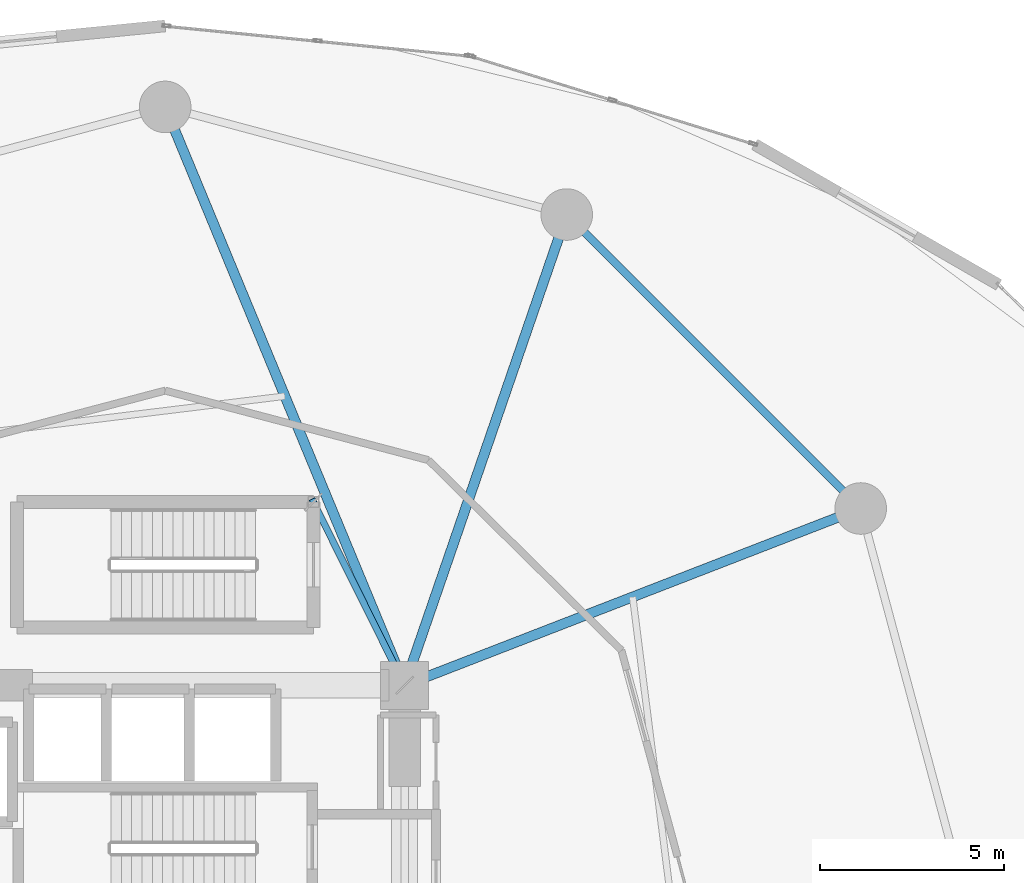
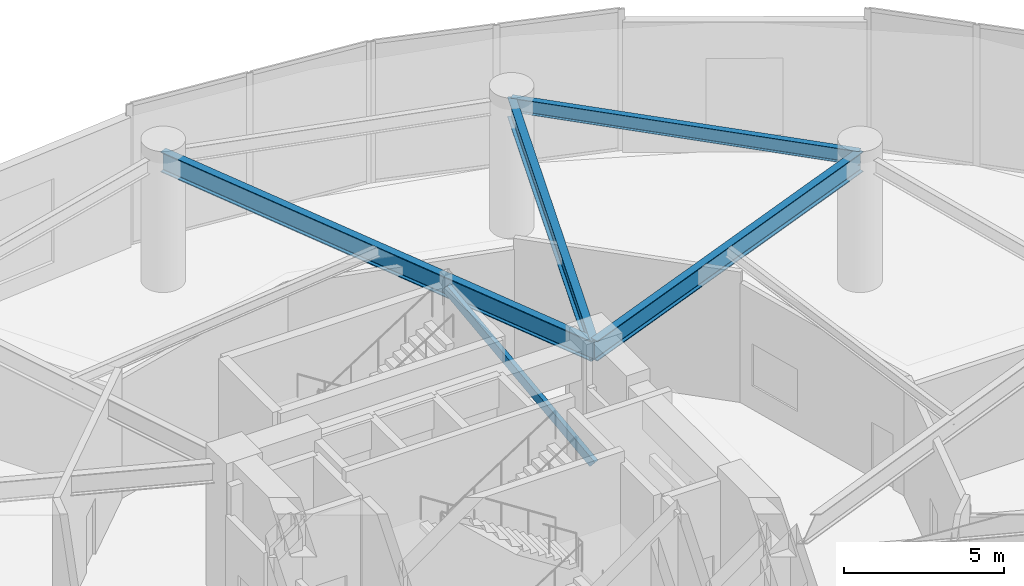
# One storey, part 17 of 29: 4 beams, 1 member.
"""IFC4 building model written with IfcOpenShell, lengths in metres."""

from ifc_helpers import new_model, si_unit, direction, frame, origin, origin_2d, place, context, subcontext, project, spatial, hollow_rectangle, i_section, extrude, material, material_profile, profile_set, type_object, element, save


model = new_model("IFC4")

# Units and contexts
model_context = context("Model", 3, precision=1e-05, world=origin(), true_north=direction((0.0, 1.0)))
body_context = subcontext(model_context, "Body", "Model", "MODEL_VIEW")
ifc_project = project(units=[si_unit("LENGTHUNIT", "METRE"), si_unit("AREAUNIT", "SQUARE_METRE"), si_unit("VOLUMEUNIT", "CUBIC_METRE"), si_unit("PLANEANGLEUNIT", "RADIAN"), si_unit("MASSUNIT", "GRAM", prefix="KILO")], contexts=[model_context])

# Site, building, storey
site_placement = place(None, origin())
site = spatial("IfcSite", under=ifc_project, at=site_placement, CompositionType="ELEMENT")
building_placement = place(site_placement, origin())
building = spatial("IfcBuilding", under=site, at=building_placement, Name="Solvirekh Grand Hotel", CompositionType="ELEMENT")
storey_placement = place(building_placement, frame((0.0, 0.0, 7.199951171875)))
storey = spatial("IfcBuildingStorey", under=building, at=storey_placement, Name="L01", CompositionType="ELEMENT", Elevation=7.199951171875)

# Beams
ifc_material = material(Name="Steel S355", Category="steel")
ifc_material_profile_1 = material_profile(ifc_material, i_section(OverallWidth=0.27001953125, OverallDepth=0.77294921875, WebThickness=0.01806640625, FlangeThickness=0.031005859375, FilletRadius=0.01806640625, at=origin_2d()), Name="W760X257")
ifc_profile_set_1 = profile_set([ifc_material_profile_1], Name="Steel S355")
beam_type_1 = type_object("IfcBeamType", Name="Beam_Ballroom_W760", PredefinedType="BEAM", material=ifc_profile_set_1)
beam_1_placement = place(storey_placement, frame((6.5, 6.10009765625, 4.593017578125), z_axis=(0.932365862704, 0.361516110381, 0.0), x_axis=(-0.361516110381, 0.932365862704, 0.0)))
element("IfcBeam", 1, at=beam_1_placement, inside=storey, type_object=beam_type_1, Name="L01 radial floor beam R02", PredefinedType="BEAM", context=body_context, shape_type="SweptSolid", body=[
    extrude(i_section(OverallWidth=0.27001953125, OverallDepth=0.77294921875, WebThickness=0.01806640625, FlangeThickness=0.031005859375, FilletRadius=0.01806640625, at=origin_2d()), origin(), (0.0, 0.0, 1.0), 13.27685546875),
])
beam_2_placement = place(storey_placement, frame((6.5, 6.10009765625, 4.593017578125), z_axis=(0.325555300394, 0.94552300151, 0.0), x_axis=(-0.94552300151, 0.325555300394, 0.0)))
element("IfcBeam", 2, at=beam_2_placement, inside=storey, type_object=beam_type_1, Name="L01 radial floor beam R03", PredefinedType="BEAM", context=body_context, shape_type="SweptSolid", body=[
    extrude(i_section(OverallWidth=0.27001953125, OverallDepth=0.77294921875, WebThickness=0.01806640625, FlangeThickness=0.031005859375, FilletRadius=0.01806640625, at=origin_2d()), origin(), (0.0, 0.0, 1.0), 13.51513671875),
])
beam_3_placement = place(storey_placement, frame((6.5, 6.10009765625, 4.593017578125), z_axis=(-0.382526065589, 0.923944700264, 0.0), x_axis=(-0.923944700264, -0.382526065589, 0.0)))
element("IfcBeam", 3, at=beam_3_placement, inside=storey, type_object=beam_type_1, Name="L01 radial floor beam R04", PredefinedType="BEAM", context=body_context, shape_type="SweptSolid", body=[
    extrude(i_section(OverallWidth=0.27001953125, OverallDepth=0.77294921875, WebThickness=0.01806640625, FlangeThickness=0.031005859375, FilletRadius=0.01806640625, at=origin_2d()), origin(), (0.0, 0.0, 1.0), 16.9921875),
])
ifc_material_profile_2 = material_profile(ifc_material, i_section(OverallWidth=0.208984375, OverallDepth=0.532958984375, WebThickness=0.010009765625, FlangeThickness=0.014892578125, FilletRadius=0.013916015625, at=origin_2d()), Name="W530X92")
ifc_profile_set_2 = profile_set([ifc_material_profile_2], Name="Steel S355")
beam_type_2 = type_object("IfcBeamType", Name="Spandrel_Ring_W530", PredefinedType="SPANDREL", material=ifc_profile_set_2)
beam_4_placement = place(storey_placement, frame((18.87890625, 10.89990234375, 4.713134765625), z_axis=(-0.707106781187, 0.707106781187, 0.0), x_axis=(-0.707106781187, -0.707106781187, 0.0)))
element("IfcBeam", 4, at=beam_4_placement, inside=storey, type_object=beam_type_2, Name="L01 perimeter spandrel beam 2", PredefinedType="SPANDREL", context=body_context, shape_type="SweptSolid", body=[
    extrude(i_section(OverallWidth=0.208984375, OverallDepth=0.532958984375, WebThickness=0.010009765625, FlangeThickness=0.014892578125, FilletRadius=0.013916015625, at=origin_2d()), origin(), (0.0, 0.0, 1.0), 11.283935546875),
])

# Member
ifc_material_profile_3 = material_profile(ifc_material, hollow_rectangle(XDim=0.179931640625, YDim=0.300048828125, WallThickness=0.011962890625, at=origin_2d()), Name="RHS 300X180X12")
ifc_profile_set_3 = profile_set([ifc_material_profile_3], Name="Steel S355")
member_type = type_object("IfcMemberType", Name="Stringer_Stair_RHS300", PredefinedType="STRINGER", material=ifc_profile_set_3)
member_placement = place(storey_placement, frame((6.5, 6.10009765625, 0.25), z_axis=(-0.343114963849, 0.689648216448, 0.637696996334), x_axis=(-0.895312965643, -0.445437642719, 0.0)))
element("IfcMember", 5, at=member_placement, inside=storey, type_object=member_type, Name="L01 feature stair ST-4 steel stringer", PredefinedType="STRINGER", context=body_context, shape_type="SweptSolid", body=[
    extrude(hollow_rectangle(XDim=0.179931640625, YDim=0.300048828125, WallThickness=0.011962890625, at=origin_2d()), origin(), (0.0, 0.0, 1.0), 7.213623046875),
])

save(model, "model.ifc")
